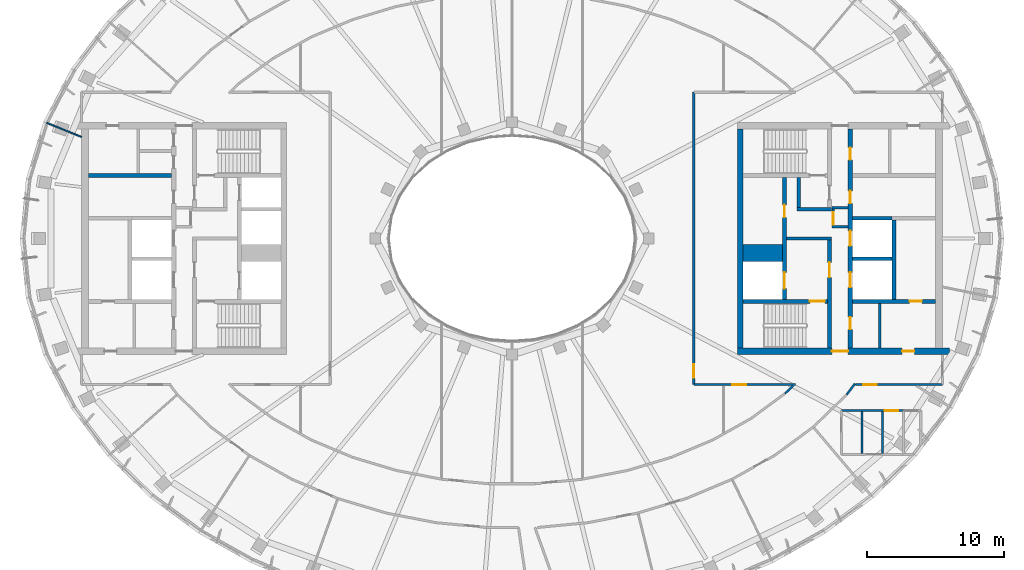
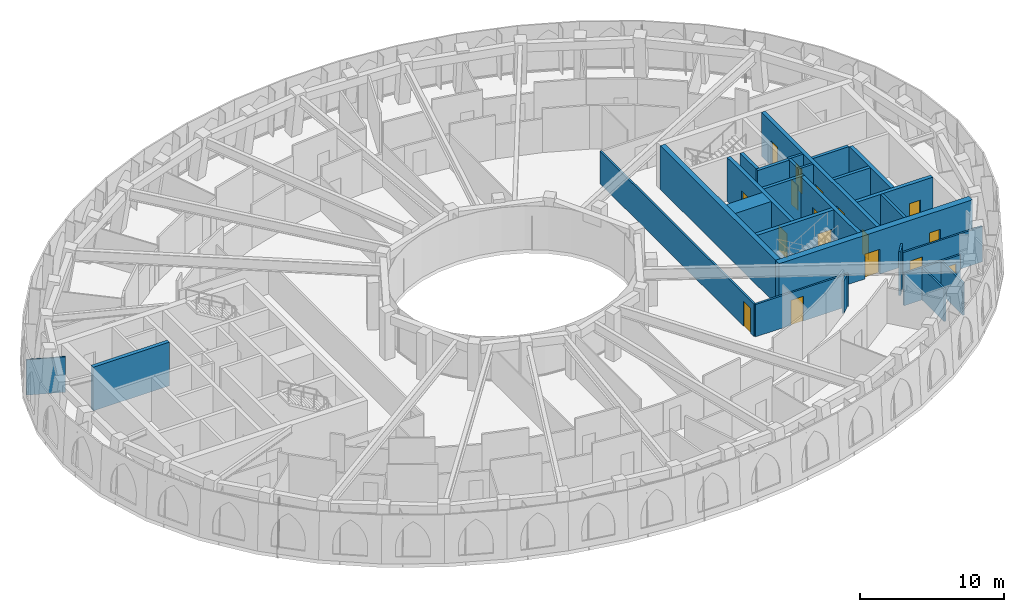
# One storey, part 5 of 15: 28 walls, 17 doors, 17 openings.
"""IFC4 building model written with IfcOpenShell, lengths in metres."""

import ifcopenshell
import ifcopenshell.guid

model = None  # the IFC model being written
_history = None  # IfcOwnerHistory: only IFC2X3 demands one
_inside = {}  # id of a spatial element -> (the spatial element, [elements in it])
_under = {}  # id of a project, library or spatial element -> (it, [spatial elements below it])
_declared = {}  # id of a project -> (the project, [libraries it declares])
_typed = {}  # id of a type object -> (the type object, [elements of that type])
_made_of = {}  # id of a material, layer set ... -> (it, [elements and type objects made of it])


def new_model(schema):
    """Start an empty IFC model of exactly this schema.

    Asked for "IFC4X3", IfcOpenShell would pick the latest addendum, in which some entities
    have other attributes; the version numbers below select the first issue.
    IFC2X3 requires an IfcOwnerHistory on every rooted entity: one is made here for all.
    """
    global model, _history
    if schema == "IFC4X3":
        model = ifcopenshell.file(schema_version=(4, 3, 0, 0))
    else:
        model = ifcopenshell.file(schema=schema)
    _inside.clear()
    _under.clear()
    _declared.clear()
    _typed.clear()
    _made_of.clear()
    _history = None
    if model.schema == "IFC2X3":
        org = make("IfcOrganization", Name="unknown")
        user = make(
            "IfcPersonAndOrganization",
            ThePerson=make("IfcPerson", FamilyName="unknown"),
            TheOrganization=org,
        )
        app = make(
            "IfcApplication",
            ApplicationDeveloper=org,
            Version="unknown",
            ApplicationFullName="unknown",
            ApplicationIdentifier="unknown",
        )
        _history = make(
            "IfcOwnerHistory",
            OwningUser=user,
            OwningApplication=app,
            ChangeAction="ADDED",
            CreationDate=0,
        )
    return model


def make(cls, **values):
    """One entity of the class cls with the attributes given. An attribute that is None is left unset."""
    return model.create_entity(
        cls, **{name: value for name, value in values.items() if value is not None}
    )


def rooted(cls, **values):
    """An entity with a GlobalId (a new one), such as an element, a storey or a relation."""
    return make(cls, GlobalId=ifcopenshell.guid.new(), OwnerHistory=_history, **values)


def si_unit(unit_type, name, prefix=None):
    """IfcSIUnit, for example si_unit("LENGTHUNIT", "METRE", prefix="MILLI")."""
    return make("IfcSIUnit", UnitType=unit_type, Prefix=prefix, Name=name)


def assignment(units):
    """IfcUnitAssignment: the units of a project."""
    return None if units is None else make("IfcUnitAssignment", Units=units)


def point(xyz):
    """IfcCartesianPoint."""
    return None if xyz is None else make("IfcCartesianPoint", Coordinates=xyz)


def direction(xyz):
    """IfcDirection."""
    return None if xyz is None else make("IfcDirection", DirectionRatios=xyz)


def frame(location, z_axis=None, x_axis=None):
    """IfcAxis2Placement3D, a coordinate frame: its origin and axes. An axis left out is left unset."""
    return make(
        "IfcAxis2Placement3D",
        Location=point(location),
        Axis=direction(z_axis),
        RefDirection=direction(x_axis),
    )


def frame_2d(location, x_axis=None):
    """IfcAxis2Placement2D, a coordinate frame in the plane: its origin and x axis."""
    return make(
        "IfcAxis2Placement2D", Location=point(location), RefDirection=direction(x_axis)
    )


def origin():
    """The frame at (0, 0, 0) with its axes left unset."""
    return frame((0.0, 0.0, 0.0))


def place(relative_to, where):
    """IfcLocalPlacement: puts the frame where relative to a parent placement (None: the world)."""
    return make(
        "IfcLocalPlacement", PlacementRelTo=relative_to, RelativePlacement=where
    )


def context(
    kind, dimensions, precision=None, world=None, true_north=None, identifier=None
):
    """IfcGeometricRepresentationContext, for example the 3D "Model" context."""
    return make(
        "IfcGeometricRepresentationContext",
        ContextIdentifier=identifier,
        ContextType=kind,
        CoordinateSpaceDimension=dimensions,
        Precision=precision,
        WorldCoordinateSystem=world,
        TrueNorth=true_north,
    )


def subcontext(parent, identifier, kind, view, scale=None):
    """IfcGeometricRepresentationSubContext, for example "Body" below "Model"."""
    return make(
        "IfcGeometricRepresentationSubContext",
        ContextIdentifier=identifier,
        ContextType=kind,
        ParentContext=parent,
        TargetScale=scale,
        TargetView=view,
    )


def project(units=None, contexts=None):
    """IfcProject with its units and contexts."""
    return rooted(
        "IfcProject",
        Name="project",
        RepresentationContexts=contexts,
        UnitsInContext=assignment(units),
    )


def spatial(cls, under=None, at=None, **own):
    """A site, building, storey or space (cls), placed at a placement, below another one or the project."""
    s = rooted(cls, ObjectPlacement=at, **own)
    if under is not None:
        _under.setdefault(under.id(), (under, []))[1].append(s)
    return s


def profile(cls, at=None, kind="AREA", **sizes):
    """A parametric profile (cls). Its sizes go by their IFC names, for example OverallWidth=200.0."""
    return make(cls, ProfileType=kind, Position=at, **sizes)


def rectangle(**sizes):
    """IfcRectangleProfileDef."""
    return profile("IfcRectangleProfileDef", **sizes)


def extrude(swept, where, along, depth):
    """IfcExtrudedAreaSolid: the profile swept, set in the frame where, extruded along a direction by depth."""
    return make(
        "IfcExtrudedAreaSolid",
        SweptArea=swept,
        Position=where,
        ExtrudedDirection=direction(along),
        Depth=depth,
    )


def shape(context_of_items, identifier, shape_type, items):
    """IfcShapeRepresentation: the items that make up one representation, for example the "Body"."""
    return make(
        "IfcShapeRepresentation",
        ContextOfItems=context_of_items,
        RepresentationIdentifier=identifier,
        RepresentationType=shape_type,
        Items=items,
    )


def material(Name=None, Category=None):
    """IfcMaterial."""
    return make("IfcMaterial", Name=Name, Category=Category)


def layer(
    of_material, thickness, ventilated=None, Name=None, Category=None, Priority=None
):
    """IfcMaterialLayer: one layer of a wall or slab, of a material (None: an air gap)."""
    return make(
        "IfcMaterialLayer",
        Material=of_material,
        LayerThickness=thickness,
        IsVentilated=ventilated,
        Name=Name,
        Category=Category,
        Priority=Priority,
    )


def layer_set(layers, Name=None):
    """IfcMaterialLayerSet."""
    return make("IfcMaterialLayerSet", MaterialLayers=layers, LayerSetName=Name)


def made_of(thing, what):
    """Note that an element or type object is made of a material, layer set ...; save() writes the relation."""
    if what is not None:
        _made_of.setdefault(what.id(), (what, []))[1].append(thing)
    return thing


def type_object(cls, material=None, **own):
    """A type object (cls), such as IfcWallType, which elements share."""
    return made_of(rooted(cls, **own), material)


def element(
    cls,
    number,
    at=None,
    inside=None,
    cuts=None,
    type_object=None,
    material=None,
    context=None,
    identifier="Body",
    shape_type=None,
    held_by="IfcProductDefinitionShape",
    body=None,
    shapes=None,
    **own,
):
    """One element of the class cls, such as IfcWall. Its Tag is "e" and its number.

    at: its placement. inside: the storey or other place that contains it. cuts: it is an
    opening in that element (IfcRelVoidsElement). A single representation is given by context,
    identifier, shape_type and body (its items); several are given by shapes. held_by: the class
    of the entity that holds the representations. save() writes the other relations.
    """
    e = rooted(cls, Tag="e%d" % number, ObjectPlacement=at, **own)
    if body is not None:
        shapes = [shape(context, identifier, shape_type, body)]
    if shapes is not None:
        e.Representation = make(held_by, Representations=shapes)
    if inside is not None:
        _inside.setdefault(inside.id(), (inside, []))[1].append(e)
    if cuts is not None:
        rooted(
            "IfcRelVoidsElement", RelatingBuildingElement=cuts, RelatedOpeningElement=e
        )
    if type_object is not None:
        _typed.setdefault(type_object.id(), (type_object, []))[1].append(e)
    return made_of(e, material)


def fill(opening, filler):
    """IfcRelFillsElement: the door or window that sits in an opening."""
    return rooted(
        "IfcRelFillsElement",
        RelatingOpeningElement=opening,
        RelatedBuildingElement=filler,
    )


def aggregate(whole, parts):
    """IfcRelAggregates: a whole, such as a stair, and the parts it consists of."""
    return rooted("IfcRelAggregates", RelatingObject=whole, RelatedObjects=parts)


def save(model, path):
    """Write the relations noted so far, then the file.

    IfcRelAggregates (storeys below a building ...), IfcRelContainedInSpatialStructure (elements
    in a storey), IfcRelDefinesByType, IfcRelAssociatesMaterial and IfcRelDeclares: one each for
    every whole, place, type object, material and project.
    """
    for whole, parts in _under.values():
        aggregate(whole, parts)
    for where, things in _inside.values():
        rooted(
            "IfcRelContainedInSpatialStructure",
            RelatedElements=things,
            RelatingStructure=where,
        )
    for kind, things in _typed.values():
        rooted("IfcRelDefinesByType", RelatedObjects=things, RelatingType=kind)
    for what, things in _made_of.values():
        rooted("IfcRelAssociatesMaterial", RelatedObjects=things, RelatingMaterial=what)
    for by, libraries in _declared.values():
        rooted("IfcRelDeclares", RelatingContext=by, RelatedDefinitions=libraries)
    model.write(path)


model = new_model("IFC4")

# Units and contexts
model_context = context("Model", 3, precision=1e-05, world=origin(), true_north=direction((0.0, 1.0)))
body_context = subcontext(model_context, "Body", "Model", "MODEL_VIEW")
ifc_project = project(units=[si_unit("LENGTHUNIT", "METRE"), si_unit("AREAUNIT", "SQUARE_METRE"), si_unit("VOLUMEUNIT", "CUBIC_METRE"), si_unit("PLANEANGLEUNIT", "RADIAN"), si_unit("MASSUNIT", "GRAM", prefix="KILO")], contexts=[model_context])

# Site, building, storey
site_placement = place(None, origin())
site = spatial("IfcSite", under=ifc_project, at=site_placement, CompositionType="ELEMENT")
building_placement = place(site_placement, origin())
building = spatial("IfcBuilding", under=site, at=building_placement, Name="Noorbagh Ring Tower", CompositionType="ELEMENT")
storey_placement = place(building_placement, frame((0.0, 0.0, 331.0)))
storey = spatial("IfcBuildingStorey", under=building, at=storey_placement, Name="L72", CompositionType="ELEMENT", Elevation=331.0)

# Walls
ifc_material_1 = material(Name="Gypsum board on steel studs", Category="steel")
ifc_layer_1 = layer(ifc_material_1, 0.199951171875)
ifc_layer_set_1 = layer_set([ifc_layer_1], Name="Gypsum board on steel studs")
wall_type_1 = type_object("IfcWallType", Name="CORE-PARTITION-200", PredefinedType="PARTITIONING", material=ifc_layer_set_1)
for number, where, z_axis, x_axis, name in (
    (1, (23.39990234375, 0.85009765625, 0.0), (0.0, 0.0, 1.0), (1.0, 0.0, 0.0), "Core partition E"),
    (2, (23.39990234375, 2.25, 0.0), (0.0, 0.0, 1.0), (1.0, 0.0, 0.0), "Core partition E"),
):
    element("IfcWall", number, at=place(storey_placement, frame(where, z_axis=z_axis, x_axis=x_axis)), inside=storey, type_object=wall_type_1, Name=name, PredefinedType="PARTITIONING", context=body_context, shape_type="SweptSolid", body=[
        extrude(rectangle(XDim=1.2001953125, YDim=0.199951171875, at=frame_2d((0.60009765625, 0.0))), origin(), (0.0, 0.0, 1.0), 3.699951171875),
    ])

# Wall, opening, door
wall_1_placement = place(storey_placement, frame((23.5, 0.75, 0.0), z_axis=(0.0, 0.0, 1.0), x_axis=(0.0, 1.0, 0.0)))
wall_1 = element("IfcWall", 3, at=wall_1_placement, inside=storey, type_object=wall_type_1, Name="Core partition E", PredefinedType="PARTITIONING", context=body_context, shape_type="SweptSolid", body=[
    extrude(rectangle(XDim=1.60009765625, YDim=0.199951171875, at=frame_2d((0.800048828125, 0.0))), origin(), (0.0, 0.0, 1.0), 3.699951171875),
])
opening_1_placement = place(wall_1_placement, frame((0.25, 0.0, 0.0)))
opening_1 = element("IfcOpeningElement", 4, at=opening_1_placement, cuts=wall_1, Name="Opening L72-CE16", PredefinedType="OPENING", context=body_context, shape_type="SweptSolid", body=[
    extrude(rectangle(XDim=0.89990234375, YDim=2.10009765625, at=frame_2d((0.449951171875, 1.050048828125))), frame((0.0, 0.10986328125, 0.0), z_axis=(0.0, -1.0, 0.0), x_axis=(1.0, 0.0, 0.0)), (0.0, 0.0, 1.0), 0.219970703125),
])
ifc_material_2 = material(Name="Steel door leaf", Category="steel")
door_type_1 = type_object("IfcDoorType", Name="CORE-DOOR-DROOM", OperationType="SINGLE_SWING_LEFT", PredefinedType="DOOR", material=ifc_material_2)
door_1_placement = place(opening_1_placement, origin())
door_1 = element("IfcDoor", 5, at=door_1_placement, inside=storey, type_object=door_type_1, Name="Core room door L72-CE16", OperationType="SINGLE_SWING_LEFT", OverallHeight=2.10009765625, OverallWidth=0.89990234375, PredefinedType="DOOR", context=body_context, shape_type="SweptSolid", body=[
    extrude(rectangle(XDim=0.89990234375, YDim=2.10009765625, at=frame_2d((0.449951171875, 1.050048828125))), frame((0.0, 0.02490234375, 0.0), z_axis=(0.0, -1.0, 0.0), x_axis=(1.0, 0.0, 0.0)), (0.0, 0.0, 1.0), 0.050048828125),
])
fill(opening_1, door_1)

# Walls
wall_2_placement = place(storey_placement, frame((26.89990234375, -8.0, 0.0), z_axis=(0.0, 0.0, 1.0), x_axis=(0.0, 1.0, 0.0)))
element("IfcWall", 6, at=wall_2_placement, inside=storey, type_object=wall_type_1, Name="Core partition E", PredefinedType="PARTITIONING", context=body_context, shape_type="SweptSolid", body=[
    extrude(rectangle(XDim=3.25, YDim=0.199951171875, at=frame_2d((1.625, 0.0))), origin(), (0.0, 0.0, 1.0), 3.699951171875),
])
ifc_material_3 = material(Name="Concrete C50/60", Category="concrete")
ifc_layer_2 = layer(ifc_material_3, 1.25)
ifc_layer_set_2 = layer_set([ifc_layer_2], Name="Concrete C50/60")
wall_type_2 = type_object("IfcWallType", Name="CORE-WALL-1250-C50-60-EI120", PredefinedType="SHEAR", material=ifc_layer_set_2)
wall_3_placement = place(storey_placement, frame((16.89990234375, -1.074951171875, 0.0), z_axis=(0.0, 0.0, 1.0), x_axis=(1.0, 0.0, 0.0)))
element("IfcWall", 7, at=wall_3_placement, inside=storey, type_object=wall_type_2, Name="Core wall E", PredefinedType="SHEAR", context=body_context, shape_type="SweptSolid", body=[
    extrude(rectangle(XDim=2.900146484375, YDim=1.25, at=frame_2d((1.4501953125, 0.0))), origin(), (0.0, 0.0, 1.0), 3.699951171875),
])
ifc_material_4 = material(Name="Concrete C50/60", Category="concrete")
ifc_layer_3 = layer(ifc_material_4, 0.25)
ifc_layer_set_3 = layer_set([ifc_layer_3], Name="Concrete C50/60")
wall_type_3 = type_object("IfcWallType", Name="CORE-WALL-250-C50-60-EI120", PredefinedType="SHEAR", material=ifc_layer_set_3)
for number, where, z_axis, x_axis, name in (
    (8, (24.89990234375, -1.47509765625, 0.0), (0.0, 0.0, 1.0), (1.0, 0.0, 0.0), "Core wall E"),
    (9, (24.89990234375, 1.47509765625, 0.0), (0.0, 0.0, 1.0), (1.0, 0.0, 0.0), "Core wall E"),
):
    element("IfcWall", number, at=place(storey_placement, frame(where, z_axis=z_axis, x_axis=x_axis)), inside=storey, type_object=wall_type_3, Name=name, PredefinedType="SHEAR", context=body_context, shape_type="SweptSolid", body=[
        extrude(rectangle(XDim=2.900146484375, YDim=0.25, at=frame_2d((1.4501953125, 0.0))), origin(), (0.0, 0.0, 1.0), 3.699951171875),
    ])
ifc_material_5 = material(Name="Concrete C50/60", Category="concrete")
ifc_layer_4 = layer(ifc_material_5, 0.25)
ifc_layer_set_4 = layer_set([ifc_layer_4], Name="Concrete C50/60")
wall_type_4 = type_object("IfcWallType", Name="CORE-WALL-250-C50-60-EI240", PredefinedType="SHEAR", material=ifc_layer_set_4)
wall_4_placement = place(storey_placement, frame((20.10009765625, 0.0, 0.0), z_axis=(0.0, 0.0, 1.0), x_axis=(1.0, 0.0, 0.0)))
element("IfcWall", 10, at=wall_4_placement, inside=storey, type_object=wall_type_4, Name="Core wall E", PredefinedType="SHEAR", context=body_context, shape_type="SweptSolid", body=[
    extrude(rectangle(XDim=3.27978515625, YDim=0.25, at=frame_2d((1.639892578125, 0.0))), origin(), (0.0, 0.0, 1.0), 3.699951171875),
])
wall_5_placement = place(storey_placement, frame((20.85009765625, 2.125, 0.0), z_axis=(0.0, 0.0, 1.0), x_axis=(1.0, 0.0, 0.0)))
element("IfcWall", 11, at=wall_5_placement, inside=storey, type_object=wall_type_4, Name="Core wall E", PredefinedType="SHEAR", context=body_context, shape_type="SweptSolid", body=[
    extrude(rectangle(XDim=2.52978515625, YDim=0.25, at=frame_2d((1.264892578125, 0.0))), origin(), (0.0, 0.0, 1.0), 3.699951171875),
])
wall_6_placement = place(storey_placement, frame((20.97509765625, 2.25, 0.0), z_axis=(0.0, 0.0, 1.0), x_axis=(0.0, 1.0, 0.0)))
element("IfcWall", 12, at=wall_6_placement, inside=storey, type_object=wall_type_4, Name="Core wall E", PredefinedType="SHEAR", context=body_context, shape_type="SweptSolid", body=[
    extrude(rectangle(XDim=2.199951171875, YDim=0.25, at=frame_2d((1.10009765625, 0.0))), origin(), (0.0, 0.0, 1.0), 3.699951171875),
])
ifc_material_6 = material(Name="Concrete C50/60", Category="concrete")
ifc_layer_5 = layer(ifc_material_6, 0.300048828125)
ifc_layer_set_5 = layer_set([ifc_layer_5], Name="Concrete C50/60")
wall_type_5 = type_object("IfcWallType", Name="CORE-WALL-300-C50-60-EI120", PredefinedType="SHEAR", material=ifc_layer_set_5)
wall_7_placement = place(storey_placement, frame((27.949951171875, -4.449951171875, 0.0), z_axis=(0.0, 0.0, 1.0), x_axis=(0.0, 1.0, 0.0)))
element("IfcWall", 13, at=wall_7_placement, inside=storey, type_object=wall_type_5, Name="Core wall E", PredefinedType="SHEAR", context=body_context, shape_type="SweptSolid", body=[
    extrude(rectangle(XDim=5.800048828125, YDim=0.300048828125, at=frame_2d((2.89990234375, 0.0))), origin(), (0.0, 0.0, 1.0), 3.699951171875),
])

# Wall, openings, doors
wall_8_placement = place(storey_placement, frame((19.949951171875, -4.449951171875, 0.0), z_axis=(0.0, 0.0, 1.0), x_axis=(0.0, 1.0, 0.0)))
wall_8 = element("IfcWall", 14, at=wall_8_placement, inside=storey, type_object=wall_type_5, Name="Core wall E", PredefinedType="SHEAR", context=body_context, shape_type="SweptSolid", body=[
    extrude(rectangle(XDim=8.89990234375, YDim=0.300048828125, at=frame_2d((4.449951171875, 0.0))), origin(), (0.0, 0.0, 1.0), 3.699951171875),
])
opening_2_placement = place(wall_8_placement, frame((0.77490234375, 0.0, 0.0)))
opening_2 = element("IfcOpeningElement", 15, at=opening_2_placement, cuts=wall_8, Name="Opening L72-CE01", PredefinedType="OPENING", context=body_context, shape_type="SweptSolid", body=[
    extrude(rectangle(XDim=1.199951171875, YDim=2.10009765625, at=frame_2d((0.60009765625, 1.050048828125))), frame((0.0, 0.16015625, 0.0), z_axis=(0.0, -1.0, 0.0), x_axis=(1.0, 0.0, 0.0)), (0.0, 0.0, 1.0), 0.320068359375),
])
opening_3_placement = place(wall_8_placement, frame((6.0, 0.0, 0.0)))
opening_3 = element("IfcOpeningElement", 16, at=opening_3_placement, cuts=wall_8, Name="Opening L72-CE10", PredefinedType="OPENING", context=body_context, shape_type="SweptSolid", body=[
    extrude(rectangle(XDim=0.89990234375, YDim=2.10009765625, at=frame_2d((0.449951171875, 1.050048828125))), frame((0.0, 0.16015625, 0.0), z_axis=(0.0, -1.0, 0.0), x_axis=(1.0, 0.0, 0.0)), (0.0, 0.0, 1.0), 0.320068359375),
])
door_2_placement = place(opening_3_placement, origin())
door_2 = element("IfcDoor", 17, at=door_2_placement, inside=storey, type_object=door_type_1, Name="Core room door L72-CE10", OperationType="SINGLE_SWING_RIGHT", OverallHeight=2.10009765625, OverallWidth=0.89990234375, PredefinedType="DOOR", context=body_context, shape_type="SweptSolid", body=[
    extrude(rectangle(XDim=0.89990234375, YDim=2.10009765625, at=frame_2d((0.449951171875, 1.050048828125))), frame((0.0, 0.02490234375, 0.0), z_axis=(0.0, -1.0, 0.0), x_axis=(1.0, 0.0, 0.0)), (0.0, 0.0, 1.0), 0.050048828125),
])
fill(opening_3, door_2)
ifc_material_7 = material(Name="Steel door leaf", Category="steel")
door_type_2 = type_object("IfcDoorType", Name="CORE-DOOR-LDW", OperationType="DOUBLE_DOOR_SLIDING", PredefinedType="DOOR", material=ifc_material_7)
door_3_placement = place(opening_2_placement, origin())
door_3 = element("IfcDoor", 18, at=door_3_placement, inside=storey, type_object=door_type_2, Name="Landing door FF2 L72-CE01", OperationType="DOUBLE_DOOR_SLIDING", OverallHeight=2.10009765625, OverallWidth=1.199951171875, PredefinedType="DOOR", context=body_context, shape_type="SweptSolid", body=[
    extrude(rectangle(XDim=1.199951171875, YDim=2.10009765625, at=frame_2d((0.60009765625, 1.050048828125))), frame((0.0, 0.02490234375, 0.0), z_axis=(0.0, -1.0, 0.0), x_axis=(1.0, 0.0, 0.0)), (0.0, 0.0, 1.0), 0.050048828125),
])
fill(opening_2, door_3)

wall_9_placement = place(storey_placement, frame((24.75, -8.0, 0.0), z_axis=(0.0, 0.0, 1.0), x_axis=(0.0, 1.0, 0.0)))
wall_9 = element("IfcWall", 19, at=wall_9_placement, inside=storey, type_object=wall_type_5, Name="Core wall E", PredefinedType="SHEAR", context=body_context, shape_type="SweptSolid", body=[
    extrude(rectangle(XDim=16.0, YDim=0.300048828125, at=frame_2d((8.0, 0.0))), origin(), (0.0, 0.0, 1.0), 3.699951171875),
])
opening_4_placement = place(wall_9_placement, frame((4.425048828125, 0.0, 0.0)))
opening_4 = element("IfcOpeningElement", 20, at=opening_4_placement, cuts=wall_9, Name="Opening L72-CE02", PredefinedType="OPENING", context=body_context, shape_type="SweptSolid", body=[
    extrude(rectangle(XDim=1.10009765625, YDim=2.10009765625, at=frame_2d((0.550048828125, 1.050048828125))), frame((0.0, 0.16015625, 0.0), z_axis=(0.0, -1.0, 0.0), x_axis=(1.0, 0.0, 0.0)), (0.0, 0.0, 1.0), 0.320068359375),
])
opening_5_placement = place(wall_9_placement, frame((7.449951171875, 0.0, 0.0)))
opening_5 = element("IfcOpeningElement", 21, at=opening_5_placement, cuts=wall_9, Name="Opening L72-CE03", PredefinedType="OPENING", context=body_context, shape_type="SweptSolid", body=[
    extrude(rectangle(XDim=1.10009765625, YDim=2.10009765625, at=frame_2d((0.550048828125, 1.050048828125))), frame((0.0, 0.16015625, 0.0), z_axis=(0.0, -1.0, 0.0), x_axis=(1.0, 0.0, 0.0)), (0.0, 0.0, 1.0), 0.320068359375),
])
opening_6_placement = place(wall_9_placement, frame((10.574951171875, 0.0, 0.0)))
opening_6 = element("IfcOpeningElement", 22, at=opening_6_placement, cuts=wall_9, Name="Opening L72-CE11", PredefinedType="OPENING", context=body_context, shape_type="SweptSolid", body=[
    extrude(rectangle(XDim=0.89990234375, YDim=2.10009765625, at=frame_2d((0.449951171875, 1.050048828125))), frame((0.0, 0.16015625, 0.0), z_axis=(0.0, -1.0, 0.0), x_axis=(1.0, 0.0, 0.0)), (0.0, 0.0, 1.0), 0.320068359375),
])
opening_7_placement = place(wall_9_placement, frame((13.75, 0.0, 0.0)))
opening_7 = element("IfcOpeningElement", 23, at=opening_7_placement, cuts=wall_9, Name="Opening L72-CE12", PredefinedType="OPENING", context=body_context, shape_type="SweptSolid", body=[
    extrude(rectangle(XDim=0.89990234375, YDim=2.10009765625, at=frame_2d((0.449951171875, 1.050048828125))), frame((0.0, 0.16015625, 0.0), z_axis=(0.0, -1.0, 0.0), x_axis=(1.0, 0.0, 0.0)), (0.0, 0.0, 1.0), 0.320068359375),
])
opening_8_placement = place(wall_9_placement, frame((1.35009765625, 0.0, 0.0)))
opening_8 = element("IfcOpeningElement", 24, at=opening_8_placement, cuts=wall_9, Name="Opening L72-CE14", PredefinedType="OPENING", context=body_context, shape_type="SweptSolid", body=[
    extrude(rectangle(XDim=0.89990234375, YDim=2.10009765625, at=frame_2d((0.449951171875, 1.050048828125))), frame((0.0, 0.16015625, 0.0), z_axis=(0.0, -1.0, 0.0), x_axis=(1.0, 0.0, 0.0)), (0.0, 0.0, 1.0), 0.320068359375),
])
door_4_placement = place(opening_6_placement, origin())
door_4 = element("IfcDoor", 25, at=door_4_placement, inside=storey, type_object=door_type_1, Name="Core room door L72-CE11", OperationType="SINGLE_SWING_LEFT", OverallHeight=2.10009765625, OverallWidth=0.89990234375, PredefinedType="DOOR", context=body_context, shape_type="SweptSolid", body=[
    extrude(rectangle(XDim=0.89990234375, YDim=2.10009765625, at=frame_2d((0.449951171875, 1.050048828125))), frame((0.0, 0.02490234375, 0.0), z_axis=(0.0, -1.0, 0.0), x_axis=(1.0, 0.0, 0.0)), (0.0, 0.0, 1.0), 0.050048828125),
])
fill(opening_6, door_4)
door_5_placement = place(opening_7_placement, origin())
door_5 = element("IfcDoor", 26, at=door_5_placement, inside=storey, type_object=door_type_1, Name="Core room door L72-CE12", OperationType="SINGLE_SWING_LEFT", OverallHeight=2.10009765625, OverallWidth=0.89990234375, PredefinedType="DOOR", context=body_context, shape_type="SweptSolid", body=[
    extrude(rectangle(XDim=0.89990234375, YDim=2.10009765625, at=frame_2d((0.449951171875, 1.050048828125))), frame((0.0, 0.02490234375, 0.0), z_axis=(0.0, -1.0, 0.0), x_axis=(1.0, 0.0, 0.0)), (0.0, 0.0, 1.0), 0.050048828125),
])
fill(opening_7, door_5)
door_6_placement = place(opening_8_placement, origin())
door_6 = element("IfcDoor", 27, at=door_6_placement, inside=storey, type_object=door_type_1, Name="Core room door L72-CE14", OperationType="SINGLE_SWING_RIGHT", OverallHeight=2.10009765625, OverallWidth=0.89990234375, PredefinedType="DOOR", context=body_context, shape_type="SweptSolid", body=[
    extrude(rectangle(XDim=0.89990234375, YDim=2.10009765625, at=frame_2d((0.449951171875, 1.050048828125))), frame((0.0, 0.02490234375, 0.0), z_axis=(0.0, -1.0, 0.0), x_axis=(1.0, 0.0, 0.0)), (0.0, 0.0, 1.0), 0.050048828125),
])
fill(opening_8, door_6)
ifc_material_8 = material(Name="Steel door leaf", Category="steel")
door_type_3 = type_object("IfcDoorType", Name="CORE-DOOR-LD", OperationType="DOUBLE_DOOR_SLIDING", PredefinedType="DOOR", material=ifc_material_8)
door_7_placement = place(opening_4_placement, origin())
door_7 = element("IfcDoor", 28, at=door_7_placement, inside=storey, type_object=door_type_3, Name="Landing door HR12 L72-CE02", OperationType="DOUBLE_DOOR_SLIDING", OverallHeight=2.10009765625, OverallWidth=1.10009765625, PredefinedType="DOOR", context=body_context, shape_type="SweptSolid", body=[
    extrude(rectangle(XDim=1.10009765625, YDim=2.10009765625, at=frame_2d((0.550048828125, 1.050048828125))), frame((0.0, 0.02490234375, 0.0), z_axis=(0.0, -1.0, 0.0), x_axis=(1.0, 0.0, 0.0)), (0.0, 0.0, 1.0), 0.050048828125),
])
fill(opening_4, door_7)
door_8_placement = place(opening_5_placement, origin())
door_8 = element("IfcDoor", 29, at=door_8_placement, inside=storey, type_object=door_type_3, Name="Landing door HR13 L72-CE03", OperationType="DOUBLE_DOOR_SLIDING", OverallHeight=2.10009765625, OverallWidth=1.10009765625, PredefinedType="DOOR", context=body_context, shape_type="SweptSolid", body=[
    extrude(rectangle(XDim=1.10009765625, YDim=2.10009765625, at=frame_2d((0.550048828125, 1.050048828125))), frame((0.0, 0.02490234375, 0.0), z_axis=(0.0, -1.0, 0.0), x_axis=(1.0, 0.0, 0.0)), (0.0, 0.0, 1.0), 0.050048828125),
])
fill(opening_5, door_8)

# Wall
ifc_material_9 = material(Name="Concrete C50/60", Category="concrete")
ifc_layer_6 = layer(ifc_material_9, 0.300048828125)
ifc_layer_set_6 = layer_set([ifc_layer_6], Name="Concrete C50/60")
wall_type_6 = type_object("IfcWallType", Name="CORE-WALL-300-C50-60-EI240", PredefinedType="SHEAR", material=ifc_layer_set_6)
wall_10_placement = place(storey_placement, frame((-24.89990234375, 4.60009765625, 0.0), z_axis=(0.0, 0.0, 1.0), x_axis=(-1.0, 0.0, 0.0)))
element("IfcWall", 30, at=wall_10_placement, inside=storey, type_object=wall_type_6, Name="Core wall W", PredefinedType="SHEAR", context=body_context, shape_type="SweptSolid", body=[
    extrude(rectangle(XDim=6.10009765625, YDim=0.300048828125, at=frame_2d((3.050048828125, 0.0))), origin(), (0.0, 0.0, 1.0), 3.699951171875),
])

# Wall, opening, door
wall_11_placement = place(storey_placement, frame((24.89990234375, -4.60009765625, 0.0), z_axis=(0.0, 0.0, 1.0), x_axis=(1.0, 0.0, 0.0)))
wall_11 = element("IfcWall", 31, at=wall_11_placement, inside=storey, type_object=wall_type_6, Name="Core wall E", PredefinedType="SHEAR", context=body_context, shape_type="SweptSolid", body=[
    extrude(rectangle(XDim=6.10009765625, YDim=0.300048828125, at=frame_2d((3.050048828125, 0.0))), origin(), (0.0, 0.0, 1.0), 3.699951171875),
])
opening_9_placement = place(wall_11_placement, frame((4.199951171875, 0.0, 0.0)))
opening_9 = element("IfcOpeningElement", 32, at=opening_9_placement, cuts=wall_11, Name="Opening L72-CE17", PredefinedType="OPENING", context=body_context, shape_type="SweptSolid", body=[
    extrude(rectangle(XDim=0.89990234375, YDim=2.10009765625, at=frame_2d((0.449951171875, 1.050048828125))), frame((0.0, 0.16015625, 0.0), z_axis=(0.0, -1.0, 0.0), x_axis=(1.0, 0.0, 0.0)), (0.0, 0.0, 1.0), 0.320068359375),
])
door_9_placement = place(opening_9_placement, origin())
door_9 = element("IfcDoor", 33, at=door_9_placement, inside=storey, type_object=door_type_1, Name="Core room door L72-CE17", OperationType="SINGLE_SWING_LEFT", OverallHeight=2.10009765625, OverallWidth=0.89990234375, PredefinedType="DOOR", context=body_context, shape_type="SweptSolid", body=[
    extrude(rectangle(XDim=0.89990234375, YDim=2.10009765625, at=frame_2d((0.449951171875, 1.050048828125))), frame((0.0, 0.02490234375, 0.0), z_axis=(0.0, -1.0, 0.0), x_axis=(1.0, 0.0, 0.0)), (0.0, 0.0, 1.0), 0.050048828125),
])
fill(opening_9, door_9)

wall_12_placement = place(storey_placement, frame((23.22998046875, -8.0, 0.0), z_axis=(0.0, 0.0, 1.0), x_axis=(0.0, 1.0, 0.0)))
wall_12 = element("IfcWall", 34, at=wall_12_placement, inside=storey, type_object=wall_type_6, Name="Core wall E", PredefinedType="SHEAR", context=body_context, shape_type="SweptSolid", body=[
    extrude(rectangle(XDim=7.875, YDim=0.300048828125, at=frame_2d((3.9375, 0.0))), origin(), (0.0, 0.0, 1.0), 3.699951171875),
])
opening_10_placement = place(wall_12_placement, frame((5.14990234375, 0.0, 0.0)))
opening_10 = element("IfcOpeningElement", 35, at=opening_10_placement, cuts=wall_12, Name="Opening L72-CE06", PredefinedType="OPENING", context=body_context, shape_type="SweptSolid", body=[
    extrude(rectangle(XDim=1.10009765625, YDim=2.10009765625, at=frame_2d((0.550048828125, 1.050048828125))), frame((0.0, 0.16015625, 0.0), z_axis=(0.0, -1.0, 0.0), x_axis=(1.0, 0.0, 0.0)), (0.0, 0.0, 1.0), 0.320068359375),
])
ifc_material_10 = material(Name="Steel door leaf", Category="steel")
door_type_4 = type_object("IfcDoorType", Name="CORE-DOOR-DFF", OperationType="SINGLE_SWING_LEFT", PredefinedType="DOOR", material=ifc_material_10)
door_10_placement = place(opening_10_placement, origin())
door_10 = element("IfcDoor", 36, at=door_10_placement, inside=storey, type_object=door_type_4, Name="Firefighting lobby door L72-CE06", OperationType="SINGLE_SWING_RIGHT", OverallHeight=2.10009765625, OverallWidth=1.10009765625, PredefinedType="DOOR", context=body_context, shape_type="SweptSolid", body=[
    extrude(rectangle(XDim=1.10009765625, YDim=2.10009765625, at=frame_2d((0.550048828125, 1.050048828125))), frame((0.0, 0.02490234375, 0.0), z_axis=(0.0, -1.0, 0.0), x_axis=(1.0, 0.0, 0.0)), (0.0, 0.0, 1.0), 0.050048828125),
])
fill(opening_10, door_10)

wall_13_placement = place(storey_placement, frame((16.89990234375, -4.60009765625, 0.0), z_axis=(0.0, 0.0, 1.0), x_axis=(1.0, 0.0, 0.0)))
wall_13 = element("IfcWall", 37, at=wall_13_placement, inside=storey, type_object=wall_type_6, Name="Core wall E", PredefinedType="SHEAR", context=body_context, shape_type="SweptSolid", body=[
    extrude(rectangle(XDim=6.18017578125, YDim=0.300048828125, at=frame_2d((3.090087890625, 0.0))), origin(), (0.0, 0.0, 1.0), 3.699951171875),
])
opening_11_placement = place(wall_13_placement, frame((4.89990234375, 0.0, 0.0)))
opening_11 = element("IfcOpeningElement", 38, at=opening_11_placement, cuts=wall_13, Name="Opening L72-CE05", PredefinedType="OPENING", context=body_context, shape_type="SweptSolid", body=[
    extrude(rectangle(XDim=1.10009765625, YDim=2.10009765625, at=frame_2d((0.550048828125, 1.050048828125))), frame((0.0, 0.16015625, 0.0), z_axis=(0.0, -1.0, 0.0), x_axis=(1.0, 0.0, 0.0)), (0.0, 0.0, 1.0), 0.320068359375),
])
ifc_material_11 = material(Name="Steel door leaf", Category="steel")
door_type_5 = type_object("IfcDoorType", Name="CORE-DOOR-DSTAIR", OperationType="SINGLE_SWING_LEFT", PredefinedType="DOOR", material=ifc_material_11)
door_11_placement = place(opening_11_placement, origin())
door_11 = element("IfcDoor", 39, at=door_11_placement, inside=storey, type_object=door_type_5, Name="Stair door ST4 L72-CE05", OperationType="SINGLE_SWING_RIGHT", OverallHeight=2.10009765625, OverallWidth=1.10009765625, PredefinedType="DOOR", context=body_context, shape_type="SweptSolid", body=[
    extrude(rectangle(XDim=1.10009765625, YDim=2.10009765625, at=frame_2d((0.550048828125, 1.050048828125))), frame((0.0, 0.02490234375, 0.0), z_axis=(0.0, -1.0, 0.0), x_axis=(1.0, 0.0, 0.0)), (0.0, 0.0, 1.0), 0.050048828125),
])
fill(opening_11, door_11)

# Wall
ifc_material_12 = material(Name="Concrete C50/60", Category="concrete")
ifc_layer_7 = layer(ifc_material_12, 0.39990234375)
ifc_layer_set_7 = layer_set([ifc_layer_7], Name="Concrete C50/60")
wall_type_7 = type_object("IfcWallType", Name="CORE-WALL-400-C50-60-EI240", PredefinedType="SHEAR", material=ifc_layer_set_7)
wall_14_placement = place(storey_placement, frame((16.699951171875, -8.0, 0.0), z_axis=(0.0, 0.0, 1.0), x_axis=(0.0, 1.0, 0.0)))
element("IfcWall", 40, at=wall_14_placement, inside=storey, type_object=wall_type_7, Name="Core wall E", PredefinedType="SHEAR", context=body_context, shape_type="SweptSolid", body=[
    extrude(rectangle(XDim=16.0, YDim=0.39990234375, at=frame_2d((8.0, 0.0))), origin(), (0.0, 0.0, 1.0), 3.699951171875),
])

# Wall, openings, doors
ifc_material_13 = material(Name="Concrete C50/60", Category="concrete")
ifc_layer_8 = layer(ifc_material_13, 0.5)
ifc_layer_set_8 = layer_set([ifc_layer_8], Name="Concrete C50/60")
wall_type_8 = type_object("IfcWallType", Name="CORE-WALL-500-C50-60-EI240", PredefinedType="SHEAR", material=ifc_layer_set_8)
wall_15_placement = place(storey_placement, frame((16.5, -8.25, 0.0), z_axis=(0.0, 0.0, 1.0), x_axis=(1.0, 0.0, 0.0)))
wall_15 = element("IfcWall", 41, at=wall_15_placement, inside=storey, type_object=wall_type_8, Name="Core wall E", PredefinedType="SHEAR", context=body_context, shape_type="SweptSolid", body=[
    extrude(rectangle(XDim=15.5, YDim=0.5, at=frame_2d((7.75, 0.0))), origin(), (0.0, 0.0, 1.0), 3.699951171875),
])
opening_12_placement = place(wall_15_placement, frame((6.89990234375, 0.0, 0.0)))
opening_12 = element("IfcOpeningElement", 42, at=opening_12_placement, cuts=wall_15, Name="Opening L72-CE09", PredefinedType="OPENING", context=body_context, shape_type="SweptSolid", body=[
    extrude(rectangle(XDim=1.199951171875, YDim=2.10009765625, at=frame_2d((0.60009765625, 1.050048828125))), frame((0.0, 0.260009765625, 0.0), z_axis=(0.0, -1.0, 0.0), x_axis=(1.0, 0.0, 0.0)), (0.0, 0.0, 1.0), 0.52001953125),
])
opening_13_placement = place(wall_15_placement, frame((12.050048828125, 0.0, 0.0)))
opening_13 = element("IfcOpeningElement", 43, at=opening_13_placement, cuts=wall_15, Name="Opening L72-CE15", PredefinedType="OPENING", context=body_context, shape_type="SweptSolid", body=[
    extrude(rectangle(XDim=0.89990234375, YDim=2.10009765625, at=frame_2d((0.449951171875, 1.050048828125))), frame((0.0, 0.260009765625, 0.0), z_axis=(0.0, -1.0, 0.0), x_axis=(1.0, 0.0, 0.0)), (0.0, 0.0, 1.0), 0.52001953125),
])
door_12_placement = place(opening_13_placement, origin())
door_12 = element("IfcDoor", 44, at=door_12_placement, inside=storey, type_object=door_type_1, Name="Core room door L72-CE15", OperationType="SINGLE_SWING_RIGHT", OverallHeight=2.10009765625, OverallWidth=0.89990234375, PredefinedType="DOOR", context=body_context, shape_type="SweptSolid", body=[
    extrude(rectangle(XDim=0.89990234375, YDim=2.10009765625, at=frame_2d((0.449951171875, 1.050048828125))), frame((0.0, 0.02490234375, 0.0), z_axis=(0.0, -1.0, 0.0), x_axis=(1.0, 0.0, 0.0)), (0.0, 0.0, 1.0), 0.050048828125),
])
fill(opening_13, door_12)
ifc_material_14 = material(Name="Steel door leaf", Category="steel")
door_type_6 = type_object("IfcDoorType", Name="CORE-DOOR-PORT", OperationType="DOUBLE_DOOR_DOUBLE_SWING", PredefinedType="DOOR", material=ifc_material_14)
door_13_placement = place(opening_12_placement, origin())
door_13 = element("IfcDoor", 45, at=door_13_placement, inside=storey, type_object=door_type_6, Name="Core entrance door L72-CE09", OperationType="DOUBLE_DOOR_DOUBLE_SWING", OverallHeight=2.10009765625, OverallWidth=1.199951171875, PredefinedType="DOOR", context=body_context, shape_type="SweptSolid", body=[
    extrude(rectangle(XDim=1.199951171875, YDim=2.10009765625, at=frame_2d((0.60009765625, 1.050048828125))), frame((0.0, 0.02490234375, 0.0), z_axis=(0.0, -1.0, 0.0), x_axis=(1.0, 0.0, 0.0)), (0.0, 0.0, 1.0), 0.050048828125),
])
fill(opening_12, door_13)

# Wall, opening, door
ifc_material_15 = material(Name="Gypsum board on steel studs", Category="steel")
ifc_layer_9 = layer(ifc_material_15, 0.14990234375)
ifc_layer_set_9 = layer_set([ifc_layer_9], Name="Gypsum board on steel studs")
wall_type_9 = type_object("IfcWallType", Name="CORRIDOR PARTITION 150 EI 30", PredefinedType="PARTITIONING", material=ifc_layer_set_9)
wall_16_placement = place(storey_placement, frame((13.300048828125, -10.699951171875, 0.0), z_axis=(0.0, 0.0, 1.0), x_axis=(0.0, 1.0, 0.0)))
wall_16 = element("IfcWall", 46, at=wall_16_placement, inside=storey, type_object=wall_type_9, Name="L72/wall/P83", PredefinedType="PARTITIONING", context=body_context, shape_type="SweptSolid", body=[
    extrude(rectangle(XDim=21.39990234375, YDim=0.14990234375, at=frame_2d((10.699951171875, 0.0))), origin(), (0.0, 0.0, 1.0), 2.75),
])
opening_14_placement = place(wall_16_placement, frame((0.5, 0.0, 0.0)))
opening_14 = element("IfcOpeningElement", 47, at=opening_14_placement, cuts=wall_16, Name="Opening D1", PredefinedType="OPENING", context=body_context, shape_type="SweptSolid", body=[
    extrude(rectangle(XDim=1.0, YDim=2.10009765625, at=frame_2d((0.5, 1.050048828125))), frame((0.0, 0.0849609375, 0.0), z_axis=(0.0, -1.0, 0.0), x_axis=(1.0, 0.0, 0.0)), (0.0, 0.0, 1.0), 0.169921875),
])
ifc_material_16 = material(Name="Timber, painted", Category="wood")
door_type_7 = type_object("IfcDoorType", Name="DOOR 1000 X 2100 FD30", OperationType="SINGLE_SWING_LEFT", PredefinedType="DOOR", material=ifc_material_16)
door_14_placement = place(opening_14_placement, origin())
door_14 = element("IfcDoor", 48, at=door_14_placement, inside=storey, type_object=door_type_7, Name="L72-D30", OperationType="SINGLE_SWING_RIGHT", OverallHeight=2.10009765625, OverallWidth=1.0, PredefinedType="DOOR", context=body_context, shape_type="SweptSolid", body=[
    extrude(rectangle(XDim=1.0, YDim=2.10009765625, at=frame_2d((0.5, 1.050048828125))), frame((0.0, 0.02490234375, 0.0), z_axis=(0.0, -1.0, 0.0), x_axis=(1.0, 0.0, 0.0)), (0.0, 0.0, 1.0), 0.050048828125),
])
fill(opening_14, door_14)

wall_17_placement = place(storey_placement, frame((13.300048828125, -10.699951171875, 0.0), z_axis=(0.0, 0.0, 1.0), x_axis=(1.0, 0.0, 0.0)))
wall_17 = element("IfcWall", 49, at=wall_17_placement, inside=storey, type_object=wall_type_9, Name="L72/wall/P84", PredefinedType="PARTITIONING", context=body_context, shape_type="SweptSolid", body=[
    extrude(rectangle(XDim=7.447998046875, YDim=0.14990234375, at=frame_2d((3.72412109375, 0.0))), origin(), (0.0, 0.0, 1.0), 2.75),
])
opening_15_placement = place(wall_17_placement, frame((2.830078125, 0.0, 0.0)))
opening_15 = element("IfcOpeningElement", 50, at=opening_15_placement, cuts=wall_17, Name="Opening D1", PredefinedType="OPENING", context=body_context, shape_type="SweptSolid", body=[
    extrude(rectangle(XDim=1.0, YDim=2.10009765625, at=frame_2d((0.5, 1.050048828125))), frame((0.0, 0.0849609375, 0.0), z_axis=(0.0, -1.0, 0.0), x_axis=(1.0, 0.0, 0.0)), (0.0, 0.0, 1.0), 0.169921875),
])
door_15_placement = place(opening_15_placement, origin())
door_15 = element("IfcDoor", 51, at=door_15_placement, inside=storey, type_object=door_type_7, Name="L72-D31", OperationType="SINGLE_SWING_LEFT", OverallHeight=2.10009765625, OverallWidth=1.0, PredefinedType="DOOR", context=body_context, shape_type="SweptSolid", body=[
    extrude(rectangle(XDim=1.0, YDim=2.10009765625, at=frame_2d((0.5, 1.050048828125))), frame((0.0, 0.02490234375, 0.0), z_axis=(0.0, -1.0, 0.0), x_axis=(1.0, 0.0, 0.0)), (0.0, 0.0, 1.0), 0.050048828125),
])
fill(opening_15, door_15)

# Wall
wall_18_placement = place(storey_placement, frame((19.971923828125, -11.347900390625, 0.0), z_axis=(0.0, 0.0, 1.0), x_axis=(0.717994705219, 0.696048563878, 0.0)))
element("IfcWall", 52, at=wall_18_placement, inside=storey, type_object=wall_type_9, Name="L72/wall/P98", PredefinedType="PARTITIONING", context=body_context, shape_type="SweptSolid", body=[
    extrude(rectangle(XDim=0.8232421875, YDim=0.14990234375, at=frame_2d((0.41162109375, 0.0))), origin(), (0.0, 0.0, 1.0), 2.75),
])

# Wall, opening, door
wall_19_placement = place(storey_placement, frame((24.10888671875, -12.60009765625, 0.0), z_axis=(0.0, 0.0, 1.0), x_axis=(1.0, 0.0, 0.0)))
wall_19 = element("IfcWall", 53, at=wall_19_placement, inside=storey, type_object=wall_type_9, Name="L72/wall/P105", PredefinedType="PARTITIONING", context=body_context, shape_type="SweptSolid", body=[
    extrude(rectangle(XDim=4.524169921875, YDim=0.14990234375, at=frame_2d((2.26220703125, 0.0))), origin(), (0.0, 0.0, 1.0), 2.75),
])
opening_16_placement = place(wall_19_placement, frame((3.166015625, 0.0, 0.0)))
opening_16 = element("IfcOpeningElement", 54, at=opening_16_placement, cuts=wall_19, Name="Opening D3", PredefinedType="OPENING", context=body_context, shape_type="SweptSolid", body=[
    extrude(rectangle(XDim=1.0, YDim=2.10009765625, at=frame_2d((0.5, 1.050048828125))), frame((0.0, 0.0849609375, 0.0), z_axis=(0.0, -1.0, 0.0), x_axis=(1.0, 0.0, 0.0)), (0.0, 0.0, 1.0), 0.169921875),
])
ifc_material_17 = material(Name="Timber, painted", Category="wood")
door_type_8 = type_object("IfcDoorType", Name="DOOR 1000 X 2100 WC", OperationType="SINGLE_SWING_LEFT", PredefinedType="DOOR", material=ifc_material_17)
door_16_placement = place(opening_16_placement, origin())
door_16 = element("IfcDoor", 55, at=door_16_placement, inside=storey, type_object=door_type_8, Name="L72-D04", OperationType="SINGLE_SWING_RIGHT", OverallHeight=2.10009765625, OverallWidth=1.0, PredefinedType="DOOR", context=body_context, shape_type="SweptSolid", body=[
    extrude(rectangle(XDim=1.0, YDim=2.10009765625, at=frame_2d((0.5, 1.050048828125))), frame((0.0, 0.02490234375, 0.0), z_axis=(0.0, -1.0, 0.0), x_axis=(1.0, 0.0, 0.0)), (0.0, 0.0, 1.0), 0.050048828125),
])
fill(opening_16, door_16)

# Wall
wall_20_placement = place(storey_placement, frame((24.488037109375, -11.425048828125, 0.0), z_axis=(0.0, 0.0, 1.0), x_axis=(0.605003176969, 0.796223056597, 0.0)))
element("IfcWall", 56, at=wall_20_placement, inside=storey, type_object=wall_type_9, Name="L72/wall/P107", PredefinedType="PARTITIONING", context=body_context, shape_type="SweptSolid", body=[
    extrude(rectangle(XDim=1.0048828125, YDim=0.14990234375, at=frame_2d((0.50244140625, 0.0))), origin(), (0.0, 0.0, 1.0), 3.699951171875),
])

# Wall, opening, door
wall_21_placement = place(storey_placement, frame((25.133056640625, -10.699951171875, 0.0), z_axis=(0.0, 0.0, 1.0), x_axis=(1.0, 0.0, 0.0)))
wall_21 = element("IfcWall", 57, at=wall_21_placement, inside=storey, type_object=wall_type_9, Name="L72/wall/P109", PredefinedType="PARTITIONING", context=body_context, shape_type="SweptSolid", body=[
    extrude(rectangle(XDim=6.366943359375, YDim=0.14990234375, at=frame_2d((3.18359375, 0.0))), origin(), (0.0, 0.0, 1.0), 3.0),
])
opening_17_placement = place(wall_21_placement, frame((0.555908203125, 0.0, 0.0)))
opening_17 = element("IfcOpeningElement", 58, at=opening_17_placement, cuts=wall_21, Name="Opening D1", PredefinedType="OPENING", context=body_context, shape_type="SweptSolid", body=[
    extrude(rectangle(XDim=1.0, YDim=2.10009765625, at=frame_2d((0.5, 1.050048828125))), frame((0.0, 0.0849609375, 0.0), z_axis=(0.0, -1.0, 0.0), x_axis=(1.0, 0.0, 0.0)), (0.0, 0.0, 1.0), 0.169921875),
])
door_17_placement = place(opening_17_placement, origin())
door_17 = element("IfcDoor", 59, at=door_17_placement, inside=storey, type_object=door_type_7, Name="L72-D01", OperationType="SINGLE_SWING_LEFT", OverallHeight=2.10009765625, OverallWidth=1.0, PredefinedType="DOOR", context=body_context, shape_type="SweptSolid", body=[
    extrude(rectangle(XDim=1.0, YDim=2.10009765625, at=frame_2d((0.5, 1.050048828125))), frame((0.0, 0.02490234375, 0.0), z_axis=(0.0, -1.0, 0.0), x_axis=(1.0, 0.0, 0.0)), (0.0, 0.0, 1.0), 0.050048828125),
])
fill(opening_17, door_17)

# Walls
for number, where, z_axis, x_axis, name in (
    (60, (25.616943359375, -15.72509765625, 0.0), (0.0, 0.0, 1.0), (0.0, 1.0, 0.0), "L72/wall/P111"),
    (61, (27.125, -15.72509765625, 0.0), (0.0, 0.0, 1.0), (0.0, 1.0, 0.0), "L72/wall/P112"),
):
    element("IfcWall", number, at=place(storey_placement, frame(where, z_axis=z_axis, x_axis=x_axis)), inside=storey, type_object=wall_type_9, Name=name, PredefinedType="PARTITIONING", context=body_context, shape_type="SweptSolid", body=[
        extrude(rectangle(XDim=3.050048828125, YDim=0.14990234375, at=frame_2d((1.52490234375, 0.0))), origin(), (0.0, 0.0, 1.0), 2.75),
    ])
ifc_material_18 = material(Name="Gypsum board on steel studs", Category="steel")
ifc_layer_10 = layer(ifc_material_18, 0.10009765625)
ifc_layer_set_10 = layer_set([ifc_layer_10], Name="Gypsum board on steel studs")
wall_type_10 = type_object("IfcWallType", Name="PARTITION 100 GYPSUM", PredefinedType="PARTITIONING", material=ifc_layer_set_10)
wall_22_placement = place(storey_placement, frame((-34.04296875, 8.468017578125, 0.0), z_axis=(0.0, 0.0, 1.0), x_axis=(0.925251905208, -0.379353281135, 0.0)))
element("IfcWall", 62, at=wall_22_placement, inside=storey, type_object=wall_type_10, Name="L72/wall/P01", PredefinedType="PARTITIONING", context=body_context, shape_type="SweptSolid", body=[
    extrude(rectangle(XDim=2.744140625, YDim=0.10009765625, at=frame_2d((1.3720703125, 0.0))), origin(), (0.0, 0.0, 1.0), 3.0),
])

save(model, "model.ifc")
